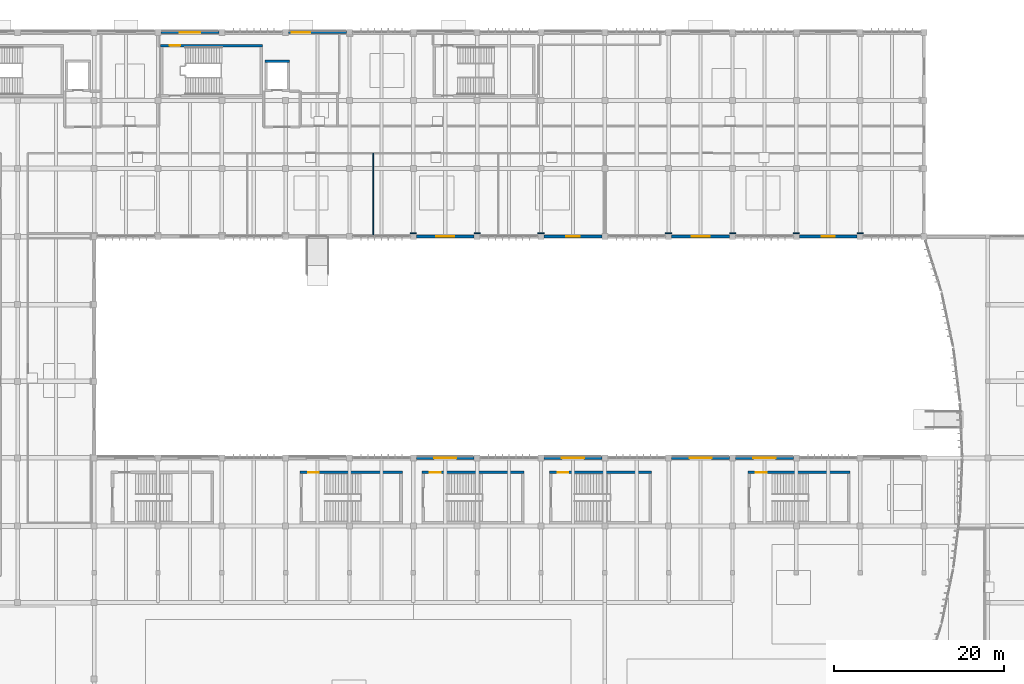
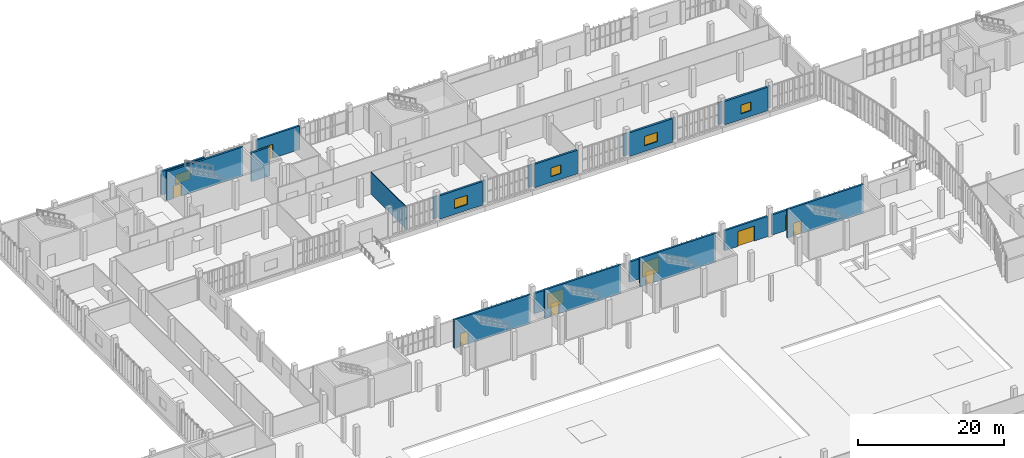
# One storey, part 48 of 72: 24 walls, 10 doors, 5 windows, 15 openings.
"""IFC4 building model written with IfcOpenShell, lengths in metres."""

from ifc_helpers import new_model, si_unit, direction, frame, frame_2d, origin, place, context, subcontext, project, spatial, rectangle, extrude, material, layer, layer_set, type_object, element, fill, save


model = new_model("IFC4")

# Units and contexts
model_context = context("Model", 3, precision=1e-05, world=origin(), true_north=direction((0.0, 1.0)))
body_context = subcontext(model_context, "Body", "Model", "MODEL_VIEW")
ifc_project = project(units=[si_unit("LENGTHUNIT", "METRE"), si_unit("AREAUNIT", "SQUARE_METRE"), si_unit("VOLUMEUNIT", "CUBIC_METRE"), si_unit("PLANEANGLEUNIT", "RADIAN"), si_unit("MASSUNIT", "GRAM", prefix="KILO")], contexts=[model_context])

# Site, building, storey
site_placement = place(None, origin())
site = spatial("IfcSite", under=ifc_project, at=site_placement, CompositionType="ELEMENT")
building_placement = place(site_placement, origin())
building = spatial("IfcBuilding", under=site, at=building_placement, Name="Vourika Railside Aquatics Centre", CompositionType="ELEMENT")
storey_placement = place(building_placement, origin())
storey = spatial("IfcBuildingStorey", under=building, at=storey_placement, Name="L00", CompositionType="ELEMENT", Elevation=0.0)

# Wall, opening, door
ifc_material_1 = material(Name="Concrete C40/50", Category="concrete")
ifc_layer_1 = layer(ifc_material_1, 0.300048828125, Name="WL-CORE")
ifc_layer_set_1 = layer_set([ifc_layer_1], Name="Concrete C40/50")
wall_type_1 = type_object("IfcWallType", Name="WL-CORE", PredefinedType="SHEAR", material=ifc_layer_set_1)
wall_1_placement = place(storey_placement, frame((55.800048828125, 114.449951171875, 0.0), z_axis=(0.0, 0.0, 1.0), x_axis=(-1.0, 0.0, 0.0)))
wall_1 = element("IfcWall", 1, at=wall_1_placement, inside=storey, type_object=wall_type_1, Name="Protected Exit Stair Core ST02 North Wall (L00)", PredefinedType="SHEAR", context=body_context, shape_type="SweptSolid", body=[
    extrude(rectangle(XDim=12.0, YDim=0.300048828125, at=frame_2d((6.0, 0.0))), origin(), (0.0, 0.0, 1.0), 4.800048828125),
])
opening_1_placement = place(wall_1_placement, frame((9.699951171875, 0.0, 0.0)))
opening_1 = element("IfcOpeningElement", 2, at=opening_1_placement, cuts=wall_1, Name="Opening DF02", PredefinedType="OPENING", context=body_context, shape_type="SweptSolid", body=[
    extrude(rectangle(XDim=1.25, YDim=2.14990234375, at=frame_2d((0.625, 1.074951171875))), frame((0.0, 0.16015625, 0.0), z_axis=(0.0, -1.0, 0.0), x_axis=(1.0, 0.0, 0.0)), (0.0, 0.0, 1.0), 0.320068359375),
])
ifc_material_2 = material(Name="Fire-rated wide exit stair door")
door_type_1 = type_object("IfcDoorType", Name="DR-FD60-125", OperationType="NOTDEFINED", PredefinedType="DOOR", material=ifc_material_2)
door_1_placement = place(opening_1_placement, origin())
door_1 = element("IfcDoor", 3, at=door_1_placement, inside=storey, type_object=door_type_1, Name="Protected Exit Stair Core ST02 Grade Exit Vestibule Door", OperationType="SINGLE_SWING_RIGHT", OverallHeight=2.14990234375, OverallWidth=1.25, PredefinedType="DOOR", context=body_context, shape_type="SweptSolid", body=[
    extrude(rectangle(XDim=1.25, YDim=2.14990234375, at=frame_2d((0.625, 1.074951171875))), frame((0.0, 0.02490234375, 0.0), z_axis=(0.0, -1.0, 0.0), x_axis=(1.0, 0.0, 0.0)), (0.0, 0.0, 1.0), 0.050048828125),
])
fill(opening_1, door_1)

wall_2_placement = place(storey_placement, frame((72.199951171875, 64.300048828125, 0.0), z_axis=(0.0, 0.0, 1.0), x_axis=(-1.0, 0.0, 0.0)))
wall_2 = element("IfcWall", 4, at=wall_2_placement, inside=storey, type_object=wall_type_1, Name="Grandstand Vomitory Exit Stair ST08 North Wall (L00)", PredefinedType="SHEAR", context=body_context, shape_type="SweptSolid", body=[
    extrude(rectangle(XDim=12.0, YDim=0.300048828125, at=frame_2d((6.0, 0.0))), origin(), (0.0, 0.0, 1.0), 4.800048828125),
])
opening_2_placement = place(wall_2_placement, frame((9.800048828125, 0.0, 0.0)))
opening_2 = element("IfcOpeningElement", 5, at=opening_2_placement, cuts=wall_2, Name="Opening DF02", PredefinedType="OPENING", context=body_context, shape_type="SweptSolid", body=[
    extrude(rectangle(XDim=1.25, YDim=2.14990234375, at=frame_2d((0.625, 1.074951171875))), frame((0.0, 0.16015625, 0.0), z_axis=(0.0, -1.0, 0.0), x_axis=(1.0, 0.0, 0.0)), (0.0, 0.0, 1.0), 0.320068359375),
])
door_2_placement = place(opening_2_placement, origin())
door_2 = element("IfcDoor", 6, at=door_2_placement, inside=storey, type_object=door_type_1, Name="Grandstand Vomitory Exit Stair ST08 Grade Exit Passage Door", OperationType="SINGLE_SWING_LEFT", OverallHeight=2.14990234375, OverallWidth=1.25, PredefinedType="DOOR", context=body_context, shape_type="SweptSolid", body=[
    extrude(rectangle(XDim=1.25, YDim=2.14990234375, at=frame_2d((0.625, 1.074951171875))), frame((0.0, 0.02490234375, 0.0), z_axis=(0.0, -1.0, 0.0), x_axis=(1.0, 0.0, 0.0)), (0.0, 0.0, 1.0), 0.050048828125),
])
fill(opening_2, door_2)

wall_3_placement = place(storey_placement, frame((101.5, 64.300048828125, 0.0), z_axis=(0.0, 0.0, 1.0), x_axis=(-1.0, 0.0, 0.0)))
wall_3 = element("IfcWall", 7, at=wall_3_placement, inside=storey, type_object=wall_type_1, Name="Grandstand Vomitory Exit Stair ST09 North Wall (L00)", PredefinedType="SHEAR", context=body_context, shape_type="SweptSolid", body=[
    extrude(rectangle(XDim=12.0, YDim=0.300048828125, at=frame_2d((6.0, 0.0))), origin(), (0.0, 0.0, 1.0), 4.800048828125),
])
opening_3_placement = place(wall_3_placement, frame((9.800048828125, 0.0, 0.0)))
opening_3 = element("IfcOpeningElement", 8, at=opening_3_placement, cuts=wall_3, Name="Opening DF02", PredefinedType="OPENING", context=body_context, shape_type="SweptSolid", body=[
    extrude(rectangle(XDim=1.25, YDim=2.14990234375, at=frame_2d((0.625, 1.074951171875))), frame((0.0, 0.16015625, 0.0), z_axis=(0.0, -1.0, 0.0), x_axis=(1.0, 0.0, 0.0)), (0.0, 0.0, 1.0), 0.320068359375),
])
door_3_placement = place(opening_3_placement, origin())
door_3 = element("IfcDoor", 9, at=door_3_placement, inside=storey, type_object=door_type_1, Name="Grandstand Vomitory Exit Stair ST09 Grade Exit Passage Door", OperationType="SINGLE_SWING_RIGHT", OverallHeight=2.14990234375, OverallWidth=1.25, PredefinedType="DOOR", context=body_context, shape_type="SweptSolid", body=[
    extrude(rectangle(XDim=1.25, YDim=2.14990234375, at=frame_2d((0.625, 1.074951171875))), frame((0.0, 0.02490234375, 0.0), z_axis=(0.0, -1.0, 0.0), x_axis=(1.0, 0.0, 0.0)), (0.0, 0.0, 1.0), 0.050048828125),
])
fill(opening_3, door_3)

wall_4_placement = place(storey_placement, frame((124.800048828125, 64.300048828125, 0.0), z_axis=(0.0, 0.0, 1.0), x_axis=(-1.0, 0.0, 0.0)))
wall_4 = element("IfcWall", 10, at=wall_4_placement, inside=storey, type_object=wall_type_1, Name="Grandstand Vomitory Exit Stair ST10 North Wall (L00)", PredefinedType="SHEAR", context=body_context, shape_type="SweptSolid", body=[
    extrude(rectangle(XDim=12.0, YDim=0.300048828125, at=frame_2d((6.0, 0.0))), origin(), (0.0, 0.0, 1.0), 4.800048828125),
])
opening_4_placement = place(wall_4_placement, frame((9.800048828125, 0.0, 0.0)))
opening_4 = element("IfcOpeningElement", 11, at=opening_4_placement, cuts=wall_4, Name="Opening DF02", PredefinedType="OPENING", context=body_context, shape_type="SweptSolid", body=[
    extrude(rectangle(XDim=1.25, YDim=2.14990234375, at=frame_2d((0.625, 1.074951171875))), frame((0.0, 0.16015625, 0.0), z_axis=(0.0, -1.0, 0.0), x_axis=(1.0, 0.0, 0.0)), (0.0, 0.0, 1.0), 0.320068359375),
])
door_4_placement = place(opening_4_placement, origin())
door_4 = element("IfcDoor", 12, at=door_4_placement, inside=storey, type_object=door_type_1, Name="Grandstand Vomitory Exit Stair ST10 Grade Exit Passage Door", OperationType="SINGLE_SWING_LEFT", OverallHeight=2.14990234375, OverallWidth=1.25, PredefinedType="DOOR", context=body_context, shape_type="SweptSolid", body=[
    extrude(rectangle(XDim=1.25, YDim=2.14990234375, at=frame_2d((0.625, 1.074951171875))), frame((0.0, 0.02490234375, 0.0), z_axis=(0.0, -1.0, 0.0), x_axis=(1.0, 0.0, 0.0)), (0.0, 0.0, 1.0), 0.050048828125),
])
fill(opening_4, door_4)

wall_5_placement = place(storey_placement, frame((86.5, 64.300048828125, 0.0), z_axis=(0.0, 0.0, 1.0), x_axis=(-1.0, 0.0, 0.0)))
wall_5 = element("IfcWall", 13, at=wall_5_placement, inside=storey, type_object=wall_type_1, Name="Grandstand Vomitory Exit Stair ST12 North Wall (L00)", PredefinedType="SHEAR", context=body_context, shape_type="SweptSolid", body=[
    extrude(rectangle(XDim=12.0, YDim=0.300048828125, at=frame_2d((6.0, 0.0))), origin(), (0.0, 0.0, 1.0), 4.800048828125),
])
opening_5_placement = place(wall_5_placement, frame((9.800048828125, 0.0, 0.0)))
opening_5 = element("IfcOpeningElement", 14, at=opening_5_placement, cuts=wall_5, Name="Opening DF02", PredefinedType="OPENING", context=body_context, shape_type="SweptSolid", body=[
    extrude(rectangle(XDim=1.25, YDim=2.14990234375, at=frame_2d((0.625, 1.074951171875))), frame((0.0, 0.16015625, 0.0), z_axis=(0.0, -1.0, 0.0), x_axis=(1.0, 0.0, 0.0)), (0.0, 0.0, 1.0), 0.320068359375),
])
door_5_placement = place(opening_5_placement, origin())
door_5 = element("IfcDoor", 15, at=door_5_placement, inside=storey, type_object=door_type_1, Name="Grandstand Vomitory Exit Stair ST12 Grade Exit Passage Door", OperationType="SINGLE_SWING_RIGHT", OverallHeight=2.14990234375, OverallWidth=1.25, PredefinedType="DOOR", context=body_context, shape_type="SweptSolid", body=[
    extrude(rectangle(XDim=1.25, YDim=2.14990234375, at=frame_2d((0.625, 1.074951171875))), frame((0.0, 0.02490234375, 0.0), z_axis=(0.0, -1.0, 0.0), x_axis=(1.0, 0.0, 0.0)), (0.0, 0.0, 1.0), 0.050048828125),
])
fill(opening_5, door_5)

# Wall
wall_6_placement = place(storey_placement, frame((58.949951171875, 112.60009765625, 0.0), z_axis=(0.0, 0.0, 1.0), x_axis=(-1.0, 0.0, 0.0)))
element("IfcWall", 16, at=wall_6_placement, inside=storey, type_object=wall_type_1, Name="Lift LF02 Shaft North Wall (L00)", PredefinedType="SHEAR", context=body_context, shape_type="SweptSolid", body=[
    extrude(rectangle(XDim=2.89990234375, YDim=0.300048828125, at=frame_2d((1.449951171875, 0.0))), origin(), (0.0, 0.0, 1.0), 4.800048828125),
])

# Wall, opening, door
ifc_material_3 = material(Name="Precast concrete C40/50", Category="concrete")
ifc_layer_2 = layer(ifc_material_3, 0.320068359375, Name="WL-EXT-320")
ifc_layer_set_2 = layer_set([ifc_layer_2], Name="Precast concrete C40/50")
wall_type_2 = type_object("IfcWallType", Name="WL-EXT-320", PredefinedType="SOLIDWALL", material=ifc_layer_set_2)
wall_7_placement = place(storey_placement, frame((80.64990234375, 66.0, 0.0), z_axis=(0.0, 0.0, 1.0), x_axis=(-1.0, 0.0, 0.0)))
wall_7 = element("IfcWall", 17, at=wall_7_placement, inside=storey, type_object=wall_type_2, Name="North Concourse Exit Wall Bay 6", PredefinedType="SOLIDWALL", context=body_context, shape_type="SweptSolid", body=[
    extrude(rectangle(XDim=6.7998046875, YDim=0.320068359375, at=frame_2d((3.39990234375, 0.0))), origin(), (0.0, 0.0, 1.0), 3.3798828125),
])
opening_6_placement = place(wall_7_placement, frame((2.10009765625, 0.0, 0.0)))
opening_6 = element("IfcOpeningElement", 18, at=opening_6_placement, cuts=wall_7, Name="Opening DE01", PredefinedType="OPENING", context=body_context, shape_type="SweptSolid", body=[
    extrude(rectangle(XDim=2.60009765625, YDim=2.5, at=frame_2d((1.300048828125, 1.25))), frame((0.0, 0.169921875, 0.0), z_axis=(0.0, -1.0, 0.0), x_axis=(1.0, 0.0, 0.0)), (0.0, 0.0, 1.0), 0.340087890625),
])
ifc_material_4 = material(Name="Anodized aluminium", Category="aluminium")
door_type_2 = type_object("IfcDoorType", Name="DR-EXT-DBL260", OperationType="DOUBLE_DOOR_SINGLE_SWING", PredefinedType="DOOR", material=ifc_material_4)
door_6_placement = place(opening_6_placement, frame((2.60009765625, 0.0, 0.0), z_axis=(0.0, 0.0, 1.0), x_axis=(-1.0, 0.0, 0.0)))
door_6 = element("IfcDoor", 19, at=door_6_placement, inside=storey, type_object=door_type_2, Name="Courtyard Vomitory Exit Door (EX-N02)", OperationType="DOUBLE_DOOR_SINGLE_SWING", OverallHeight=2.5, OverallWidth=2.60009765625, PredefinedType="DOOR", context=body_context, shape_type="SweptSolid", body=[
    extrude(rectangle(XDim=2.60009765625, YDim=2.5, at=frame_2d((1.300048828125, 1.25))), frame((0.0, 0.02490234375, 0.0), z_axis=(0.0, -1.0, 0.0), x_axis=(1.0, 0.0, 0.0)), (0.0, 0.0, 1.0), 0.050048828125),
])
fill(opening_6, door_6)

wall_8_placement = place(storey_placement, frame((95.64990234375, 66.0, 0.0), z_axis=(0.0, 0.0, 1.0), x_axis=(-1.0, 0.0, 0.0)))
wall_8 = element("IfcWall", 20, at=wall_8_placement, inside=storey, type_object=wall_type_2, Name="North Concourse Exit Wall Bay 8", PredefinedType="SOLIDWALL", context=body_context, shape_type="SweptSolid", body=[
    extrude(rectangle(XDim=6.7998046875, YDim=0.320068359375, at=frame_2d((3.39990234375, 0.0))), origin(), (0.0, 0.0, 1.0), 3.3798828125),
])
opening_7_placement = place(wall_8_placement, frame((2.10009765625, 0.0, 0.0)))
opening_7 = element("IfcOpeningElement", 21, at=opening_7_placement, cuts=wall_8, Name="Opening DE01", PredefinedType="OPENING", context=body_context, shape_type="SweptSolid", body=[
    extrude(rectangle(XDim=2.60009765625, YDim=2.5, at=frame_2d((1.300048828125, 1.25))), frame((0.0, 0.169921875, 0.0), z_axis=(0.0, -1.0, 0.0), x_axis=(1.0, 0.0, 0.0)), (0.0, 0.0, 1.0), 0.340087890625),
])
door_7_placement = place(opening_7_placement, frame((2.60009765625, 0.0, 0.0), z_axis=(0.0, 0.0, 1.0), x_axis=(-1.0, 0.0, 0.0)))
door_7 = element("IfcDoor", 22, at=door_7_placement, inside=storey, type_object=door_type_2, Name="Courtyard Vomitory Exit Door (ST09)", OperationType="DOUBLE_DOOR_SINGLE_SWING", OverallHeight=2.5, OverallWidth=2.60009765625, PredefinedType="DOOR", context=body_context, shape_type="SweptSolid", body=[
    extrude(rectangle(XDim=2.60009765625, YDim=2.5, at=frame_2d((1.300048828125, 1.25))), frame((0.0, 0.02490234375, 0.0), z_axis=(0.0, -1.0, 0.0), x_axis=(1.0, 0.0, 0.0)), (0.0, 0.0, 1.0), 0.050048828125),
])
fill(opening_7, door_7)

wall_9_placement = place(storey_placement, frame((110.64990234375, 66.0, 0.0), z_axis=(0.0, 0.0, 1.0), x_axis=(-1.0, 0.0, 0.0)))
wall_9 = element("IfcWall", 23, at=wall_9_placement, inside=storey, type_object=wall_type_2, Name="North Concourse Exit Wall Bay 10", PredefinedType="SOLIDWALL", context=body_context, shape_type="SweptSolid", body=[
    extrude(rectangle(XDim=6.7998046875, YDim=0.320068359375, at=frame_2d((3.39990234375, 0.0))), origin(), (0.0, 0.0, 1.0), 3.3798828125),
])
opening_8_placement = place(wall_9_placement, frame((2.10009765625, 0.0, 0.0)))
opening_8 = element("IfcOpeningElement", 24, at=opening_8_placement, cuts=wall_9, Name="Opening DE01", PredefinedType="OPENING", context=body_context, shape_type="SweptSolid", body=[
    extrude(rectangle(XDim=2.60009765625, YDim=2.5, at=frame_2d((1.300048828125, 1.25))), frame((0.0, 0.169921875, 0.0), z_axis=(0.0, -1.0, 0.0), x_axis=(1.0, 0.0, 0.0)), (0.0, 0.0, 1.0), 0.340087890625),
])
door_8_placement = place(opening_8_placement, frame((2.60009765625, 0.0, 0.0), z_axis=(0.0, 0.0, 1.0), x_axis=(-1.0, 0.0, 0.0)))
door_8 = element("IfcDoor", 25, at=door_8_placement, inside=storey, type_object=door_type_2, Name="Courtyard Vomitory Exit Door (EX-N03)", OperationType="DOUBLE_DOOR_SINGLE_SWING", OverallHeight=2.5, OverallWidth=2.60009765625, PredefinedType="DOOR", context=body_context, shape_type="SweptSolid", body=[
    extrude(rectangle(XDim=2.60009765625, YDim=2.5, at=frame_2d((1.300048828125, 1.25))), frame((0.0, 0.02490234375, 0.0), z_axis=(0.0, -1.0, 0.0), x_axis=(1.0, 0.0, 0.0)), (0.0, 0.0, 1.0), 0.050048828125),
])
fill(opening_8, door_8)

wall_10_placement = place(storey_placement, frame((118.14990234375, 66.0, 0.0), z_axis=(0.0, 0.0, 1.0), x_axis=(-1.0, 0.0, 0.0)))
wall_10 = element("IfcWall", 26, at=wall_10_placement, inside=storey, type_object=wall_type_2, Name="North Concourse Exit Wall Bay 11", PredefinedType="SOLIDWALL", context=body_context, shape_type="SweptSolid", body=[
    extrude(rectangle(XDim=6.7998046875, YDim=0.320068359375, at=frame_2d((3.39990234375, 0.0))), origin(), (0.0, 0.0, 1.0), 3.3798828125),
])
opening_9_placement = place(wall_10_placement, frame((2.10009765625, 0.0, 0.0)))
opening_9 = element("IfcOpeningElement", 27, at=opening_9_placement, cuts=wall_10, Name="Opening DE01", PredefinedType="OPENING", context=body_context, shape_type="SweptSolid", body=[
    extrude(rectangle(XDim=2.60009765625, YDim=2.5, at=frame_2d((1.300048828125, 1.25))), frame((0.0, 0.169921875, 0.0), z_axis=(0.0, -1.0, 0.0), x_axis=(1.0, 0.0, 0.0)), (0.0, 0.0, 1.0), 0.340087890625),
])
door_9_placement = place(opening_9_placement, frame((2.60009765625, 0.0, 0.0), z_axis=(0.0, 0.0, 1.0), x_axis=(-1.0, 0.0, 0.0)))
door_9 = element("IfcDoor", 28, at=door_9_placement, inside=storey, type_object=door_type_2, Name="Courtyard Vomitory Exit Door (ST10)", OperationType="DOUBLE_DOOR_SINGLE_SWING", OverallHeight=2.5, OverallWidth=2.60009765625, PredefinedType="DOOR", context=body_context, shape_type="SweptSolid", body=[
    extrude(rectangle(XDim=2.60009765625, YDim=2.5, at=frame_2d((1.300048828125, 1.25))), frame((0.0, 0.02490234375, 0.0), z_axis=(0.0, -1.0, 0.0), x_axis=(1.0, 0.0, 0.0)), (0.0, 0.0, 1.0), 0.050048828125),
])
fill(opening_9, door_9)

# Wall, opening, window
wall_11_placement = place(storey_placement, frame((50.64990234375, 116.0, 0.0), z_axis=(0.0, 0.0, 1.0), x_axis=(-1.0, 0.0, 0.0)))
wall_11 = element("IfcWall", 29, at=wall_11_placement, inside=storey, type_object=wall_type_2, Name="North Boulevard Precast Bay L00-4", PredefinedType="SOLIDWALL", context=body_context, shape_type="SweptSolid", body=[
    extrude(rectangle(XDim=6.7998046875, YDim=0.320068359375, at=frame_2d((3.39990234375, 0.0))), origin(), (0.0, 0.0, 1.0), 3.929931640625),
])
opening_10_placement = place(wall_11_placement, frame((2.199951171875, 0.0, 0.949951171875)))
opening_10 = element("IfcOpeningElement", 30, at=opening_10_placement, cuts=wall_11, Name="Opening W06", PredefinedType="OPENING", context=body_context, shape_type="SweptSolid", body=[
    extrude(rectangle(XDim=2.39990234375, YDim=1.60009765625, at=frame_2d((1.199951171875, 0.800048828125))), frame((0.0, 0.169921875, 0.0), z_axis=(0.0, -1.0, 0.0), x_axis=(1.0, 0.0, 0.0)), (0.0, 0.0, 1.0), 0.340087890625),
])
ifc_material_5 = material(Name="Laminated solar-control glass", Category="glass")
window_type_1 = type_object("IfcWindowType", Name="WN-CLN-240x160", PartitioningType="DOUBLE_PANEL_VERTICAL", PredefinedType="WINDOW", material=ifc_material_5)
window_1_placement = place(opening_10_placement, origin())
window_1 = element("IfcWindow", 31, at=window_1_placement, inside=storey, type_object=window_type_1, Name="North Boulevard Studio Window L00-4", OverallHeight=1.60009765625, OverallWidth=2.39990234375, PartitioningType="SINGLE_PANEL", PredefinedType="WINDOW", context=body_context, shape_type="SweptSolid", body=[
    extrude(rectangle(XDim=2.39990234375, YDim=1.60009765625, at=frame_2d((1.199951171875, 0.800048828125))), frame((0.0, 0.030029296875, 0.0), z_axis=(0.0, -1.0, 0.0), x_axis=(1.0, 0.0, 0.0)), (0.0, 0.0, 1.0), 0.06005859375),
])
fill(opening_10, window_1)

# Wall, opening, door
wall_12_placement = place(storey_placement, frame((65.64990234375, 116.0, 0.0), z_axis=(0.0, 0.0, 1.0), x_axis=(-1.0, 0.0, 0.0)))
wall_12 = element("IfcWall", 32, at=wall_12_placement, inside=storey, type_object=wall_type_2, Name="North Boulevard Exit Portal 6", PredefinedType="SOLIDWALL", context=body_context, shape_type="SweptSolid", body=[
    extrude(rectangle(XDim=6.7998046875, YDim=0.320068359375, at=frame_2d((3.39990234375, 0.0))), origin(), (0.0, 0.0, 1.0), 3.929931640625),
])
opening_11_placement = place(wall_12_placement, frame((4.25, 0.0, 0.0)))
opening_11 = element("IfcOpeningElement", 33, at=opening_11_placement, cuts=wall_12, Name="Opening DE03", PredefinedType="OPENING", context=body_context, shape_type="SweptSolid", body=[
    extrude(rectangle(XDim=2.199951171875, YDim=2.35009765625, at=frame_2d((1.10009765625, 1.175048828125))), frame((0.0, 0.169921875, 0.0), z_axis=(0.0, -1.0, 0.0), x_axis=(1.0, 0.0, 0.0)), (0.0, 0.0, 1.0), 0.340087890625),
])
door_type_3 = type_object("IfcDoorType", Name="DR-EXT-DBL220", OperationType="DOUBLE_DOOR_SINGLE_SWING", PredefinedType="DOOR", material=ifc_material_4)
door_10_placement = place(opening_11_placement, frame((2.199951171875, 0.0, 0.0), z_axis=(0.0, 0.0, 1.0), x_axis=(-1.0, 0.0, 0.0)))
door_10 = element("IfcDoor", 34, at=door_10_placement, inside=storey, type_object=door_type_3, Name="North Boulevard Entrance and Exit Door 6", OperationType="DOUBLE_DOOR_SINGLE_SWING", OverallHeight=2.35009765625, OverallWidth=2.199951171875, PredefinedType="DOOR", context=body_context, shape_type="SweptSolid", body=[
    extrude(rectangle(XDim=2.199951171875, YDim=2.35009765625, at=frame_2d((1.10009765625, 1.175048828125))), frame((0.0, 0.02490234375, 0.0), z_axis=(0.0, -1.0, 0.0), x_axis=(1.0, 0.0, 0.0)), (0.0, 0.0, 1.0), 0.050048828125),
])
fill(opening_11, door_10)

# Wall, opening, window
wall_13_placement = place(storey_placement, frame((73.85009765625, 92.0, 0.0), z_axis=(0.0, 0.0, 1.0), x_axis=(1.0, 0.0, 0.0)))
wall_13 = element("IfcWall", 35, at=wall_13_placement, inside=storey, type_object=wall_type_2, Name="Courtyard Precast Wall L00-6", PredefinedType="SOLIDWALL", context=body_context, shape_type="SweptSolid", body=[
    extrude(rectangle(XDim=6.7998046875, YDim=0.320068359375, at=frame_2d((3.39990234375, 0.0))), origin(), (0.0, 0.0, 1.0), 3.929931640625),
])
opening_12_placement = place(wall_13_placement, frame((2.35009765625, 0.0, 0.949951171875)))
opening_12 = element("IfcOpeningElement", 36, at=opening_12_placement, cuts=wall_13, Name="Opening W07", PredefinedType="OPENING", context=body_context, shape_type="SweptSolid", body=[
    extrude(rectangle(XDim=2.10009765625, YDim=1.550048828125, at=frame_2d((1.050048828125, 0.77490234375))), frame((0.0, 0.169921875, 0.0), z_axis=(0.0, -1.0, 0.0), x_axis=(1.0, 0.0, 0.0)), (0.0, 0.0, 1.0), 0.340087890625),
])
window_type_2 = type_object("IfcWindowType", Name="WN-CLN-210x155", PartitioningType="DOUBLE_PANEL_VERTICAL", PredefinedType="WINDOW", material=ifc_material_5)
window_2_placement = place(opening_12_placement, origin())
window_2 = element("IfcWindow", 37, at=window_2_placement, inside=storey, type_object=window_type_2, Name="Courtyard Fitness Window L00-6", OverallHeight=1.550048828125, OverallWidth=2.10009765625, PartitioningType="SINGLE_PANEL", PredefinedType="WINDOW", context=body_context, shape_type="SweptSolid", body=[
    extrude(rectangle(XDim=2.10009765625, YDim=1.550048828125, at=frame_2d((1.050048828125, 0.77490234375))), frame((0.0, 0.030029296875, 0.0), z_axis=(0.0, -1.0, 0.0), x_axis=(1.0, 0.0, 0.0)), (0.0, 0.0, 1.0), 0.06005859375),
])
fill(opening_12, window_2)

wall_14_placement = place(storey_placement, frame((88.85009765625, 92.0, 0.0), z_axis=(0.0, 0.0, 1.0), x_axis=(1.0, 0.0, 0.0)))
wall_14 = element("IfcWall", 38, at=wall_14_placement, inside=storey, type_object=wall_type_2, Name="Courtyard Precast Wall L00-8", PredefinedType="SOLIDWALL", context=body_context, shape_type="SweptSolid", body=[
    extrude(rectangle(XDim=6.7998046875, YDim=0.320068359375, at=frame_2d((3.39990234375, 0.0))), origin(), (0.0, 0.0, 1.0), 3.929931640625),
])
opening_13_placement = place(wall_14_placement, frame((2.625, 0.0, 0.949951171875)))
opening_13 = element("IfcOpeningElement", 39, at=opening_13_placement, cuts=wall_14, Name="Opening W09", PredefinedType="OPENING", context=body_context, shape_type="SweptSolid", body=[
    extrude(rectangle(XDim=1.550048828125, YDim=1.449951171875, at=frame_2d((0.77490234375, 0.72509765625))), frame((0.0, 0.169921875, 0.0), z_axis=(0.0, -1.0, 0.0), x_axis=(1.0, 0.0, 0.0)), (0.0, 0.0, 1.0), 0.340087890625),
])
window_type_3 = type_object("IfcWindowType", Name="WN-CLN-155x145", PartitioningType="SINGLE_PANEL", PredefinedType="WINDOW", material=ifc_material_5)
window_3_placement = place(opening_13_placement, origin())
window_3 = element("IfcWindow", 40, at=window_3_placement, inside=storey, type_object=window_type_3, Name="Courtyard Fitness Window L00-8", OverallHeight=1.449951171875, OverallWidth=1.550048828125, PartitioningType="SINGLE_PANEL", PredefinedType="WINDOW", context=body_context, shape_type="SweptSolid", body=[
    extrude(rectangle(XDim=1.550048828125, YDim=1.449951171875, at=frame_2d((0.77490234375, 0.72509765625))), frame((0.0, 0.030029296875, 0.0), z_axis=(0.0, -1.0, 0.0), x_axis=(1.0, 0.0, 0.0)), (0.0, 0.0, 1.0), 0.06005859375),
])
fill(opening_13, window_3)

wall_15_placement = place(storey_placement, frame((103.85009765625, 92.0, 0.0), z_axis=(0.0, 0.0, 1.0), x_axis=(1.0, 0.0, 0.0)))
wall_15 = element("IfcWall", 41, at=wall_15_placement, inside=storey, type_object=wall_type_2, Name="Courtyard Precast Wall L00-10", PredefinedType="SOLIDWALL", context=body_context, shape_type="SweptSolid", body=[
    extrude(rectangle(XDim=6.7998046875, YDim=0.320068359375, at=frame_2d((3.39990234375, 0.0))), origin(), (0.0, 0.0, 1.0), 3.929931640625),
])
opening_14_placement = place(wall_15_placement, frame((2.35009765625, 0.0, 0.949951171875)))
opening_14 = element("IfcOpeningElement", 42, at=opening_14_placement, cuts=wall_15, Name="Opening W07", PredefinedType="OPENING", context=body_context, shape_type="SweptSolid", body=[
    extrude(rectangle(XDim=2.10009765625, YDim=1.550048828125, at=frame_2d((1.050048828125, 0.77490234375))), frame((0.0, 0.169921875, 0.0), z_axis=(0.0, -1.0, 0.0), x_axis=(1.0, 0.0, 0.0)), (0.0, 0.0, 1.0), 0.340087890625),
])
window_4_placement = place(opening_14_placement, origin())
window_4 = element("IfcWindow", 43, at=window_4_placement, inside=storey, type_object=window_type_2, Name="Courtyard Fitness Window L00-10", OverallHeight=1.550048828125, OverallWidth=2.10009765625, PartitioningType="SINGLE_PANEL", PredefinedType="WINDOW", context=body_context, shape_type="SweptSolid", body=[
    extrude(rectangle(XDim=2.10009765625, YDim=1.550048828125, at=frame_2d((1.050048828125, 0.77490234375))), frame((0.0, 0.030029296875, 0.0), z_axis=(0.0, -1.0, 0.0), x_axis=(1.0, 0.0, 0.0)), (0.0, 0.0, 1.0), 0.06005859375),
])
fill(opening_14, window_4)

wall_16_placement = place(storey_placement, frame((118.85009765625, 92.0, 0.0), z_axis=(0.0, 0.0, 1.0), x_axis=(1.0, 0.0, 0.0)))
wall_16 = element("IfcWall", 44, at=wall_16_placement, inside=storey, type_object=wall_type_2, Name="Courtyard Precast Wall L00-12", PredefinedType="SOLIDWALL", context=body_context, shape_type="SweptSolid", body=[
    extrude(rectangle(XDim=6.7998046875, YDim=0.320068359375, at=frame_2d((3.39990234375, 0.0))), origin(), (0.0, 0.0, 1.0), 3.929931640625),
])
opening_15_placement = place(wall_16_placement, frame((2.625, 0.0, 0.949951171875)))
opening_15 = element("IfcOpeningElement", 45, at=opening_15_placement, cuts=wall_16, Name="Opening W09", PredefinedType="OPENING", context=body_context, shape_type="SweptSolid", body=[
    extrude(rectangle(XDim=1.550048828125, YDim=1.449951171875, at=frame_2d((0.77490234375, 0.72509765625))), frame((0.0, 0.169921875, 0.0), z_axis=(0.0, -1.0, 0.0), x_axis=(1.0, 0.0, 0.0)), (0.0, 0.0, 1.0), 0.340087890625),
])
window_5_placement = place(opening_15_placement, origin())
window_5 = element("IfcWindow", 46, at=window_5_placement, inside=storey, type_object=window_type_3, Name="Courtyard Fitness Window L00-12", OverallHeight=1.449951171875, OverallWidth=1.550048828125, PartitioningType="SINGLE_PANEL", PredefinedType="WINDOW", context=body_context, shape_type="SweptSolid", body=[
    extrude(rectangle(XDim=1.550048828125, YDim=1.449951171875, at=frame_2d((0.77490234375, 0.72509765625))), frame((0.0, 0.030029296875, 0.0), z_axis=(0.0, -1.0, 0.0), x_axis=(1.0, 0.0, 0.0)), (0.0, 0.0, 1.0), 0.06005859375),
])
fill(opening_15, window_5)

# Walls
ifc_material_6 = material(Name="Lightweight drylining partition")
ifc_layer_3 = layer(ifc_material_6, 0.1201171875, Name="WL-PART-120")
ifc_layer_set_3 = layer_set([ifc_layer_3], Name="Lightweight drylining partition")
wall_type_3 = type_object("IfcWallType", Name="WL-PART-120", PredefinedType="PARTITIONING", material=ifc_layer_set_3)
wall_17_placement = place(storey_placement, frame((68.800048828125, 101.800048828125, 0.0), z_axis=(0.0, 0.0, 1.0), x_axis=(0.0, -1.0, 0.0)))
element("IfcWall", 47, at=wall_17_placement, inside=storey, type_object=wall_type_3, Name="Orthopaedic Physician Consulting Rooms Partition 3", PredefinedType="PARTITIONING", context=body_context, shape_type="SweptSolid", body=[
    extrude(rectangle(XDim=9.738037109375, YDim=0.1201171875, at=frame_2d((4.869140625, 0.0))), origin(), (0.0, 0.0, 1.0), 3.679931640625),
])
for number, where, z_axis, x_axis, name in (
    (48, (81.3798828125, 92.39990234375, 0.0), (0.0, 0.0, 1.0), (-1.0, 0.0, 0.0), "Sports Traumatology Consultation Suite Partition 4"),
    (49, (73.85009765625, 92.39990234375, 0.0), (0.0, 0.0, 1.0), (-1.0, 0.0, 0.0), "Sports Traumatology Consultation Suite Partition 5"),
    (50, (88.85009765625, 92.39990234375, 0.0), (0.0, 0.0, 1.0), (-1.0, 0.0, 0.0), "Athlete Cardiac Screening Lounge Partition 4"),
    (51, (126.3798828125, 92.39990234375, 0.0), (0.0, 0.0, 1.0), (-1.0, 0.0, 0.0), "Diagnostic Imaging and Triage Suite Partition 4"),
    (52, (118.85009765625, 92.39990234375, 0.0), (0.0, 0.0, 1.0), (-1.0, 0.0, 0.0), "Diagnostic Imaging and Triage Suite Partition 5"),
    (53, (111.3798828125, 92.39990234375, 0.0), (0.0, 0.0, 1.0), (-1.0, 0.0, 0.0), "Diagnostic Imaging and Triage Suite Partition 6"),
    (54, (103.85009765625, 92.39990234375, 0.0), (0.0, 0.0, 1.0), (-1.0, 0.0, 0.0), "Diagnostic Imaging and Triage Suite Partition 7"),
):
    element("IfcWall", number, at=place(storey_placement, frame(where, z_axis=z_axis, x_axis=x_axis)), inside=storey, type_object=wall_type_3, Name=name, PredefinedType="PARTITIONING", context=body_context, shape_type="SweptSolid", body=[
        extrude(rectangle(XDim=0.72998046875, YDim=0.1201171875, at=frame_2d((0.364990234375, 0.0))), origin(), (0.0, 0.0, 1.0), 3.679931640625),
    ])

save(model, "model.ifc")
